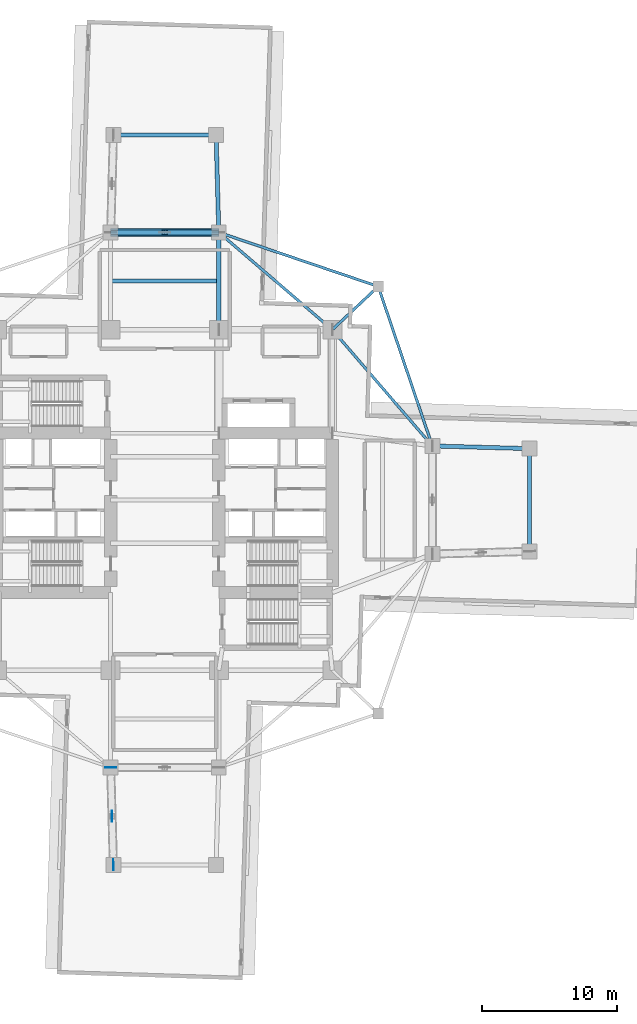
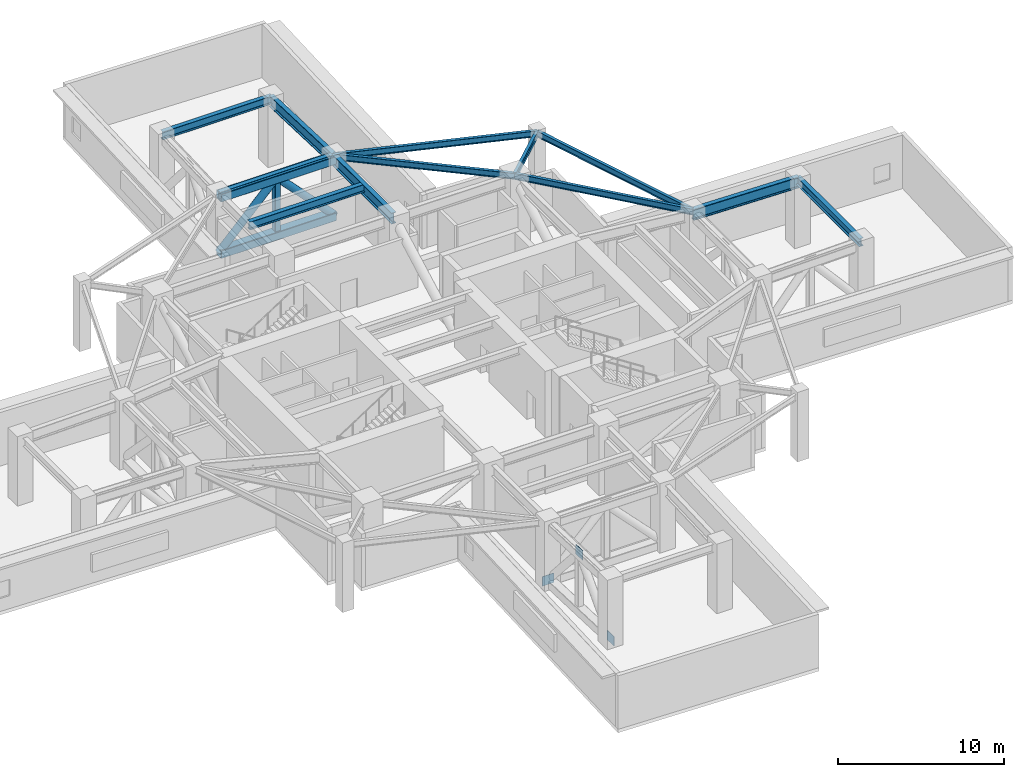
# One storey, part 4 of 17: 12 beams, 5 members, 3 plates.
"""IFC4 building model written with IfcOpenShell, lengths in metres."""

from ifc_helpers import new_model, si_unit, direction, frame, origin, origin_2d, place, context, subcontext, project, spatial, rectangle, hollow_rectangle, hollow_circle, i_section, extrude, material, layer, layer_set, material_profile, profile_set, type_object, element, save


model = new_model("IFC4")

# Units and contexts
model_context = context("Model", 3, precision=1e-05, world=origin(), true_north=direction((0.0, 1.0)))
body_context = subcontext(model_context, "Body", "Model", "MODEL_VIEW")
ifc_project = project(units=[si_unit("LENGTHUNIT", "METRE"), si_unit("AREAUNIT", "SQUARE_METRE"), si_unit("VOLUMEUNIT", "CUBIC_METRE"), si_unit("PLANEANGLEUNIT", "RADIAN"), si_unit("MASSUNIT", "GRAM", prefix="KILO")], contexts=[model_context])

# Site, building, storey
site_placement = place(None, origin())
site = spatial("IfcSite", under=ifc_project, at=site_placement, CompositionType="ELEMENT")
building_placement = place(site_placement, origin())
building = spatial("IfcBuilding", under=site, at=building_placement, Name="Qingluan Cross Belvedere", CompositionType="ELEMENT")
storey_placement = place(building_placement, frame((0.0, 0.0, 95.10009765625)))
storey = spatial("IfcBuildingStorey", under=building, at=storey_placement, Name="L24", CompositionType="ELEMENT", Elevation=95.10009765625)

# Members
ifc_material_1 = material(Name="Steel Q420GJB", Category="steel")
ifc_material_profile_1 = material_profile(ifc_material_1, hollow_circle(Radius=0.25390625, WallThickness=0.02197265625, at=origin_2d()), Name="CHS508x22")
ifc_profile_set_1 = profile_set([ifc_material_profile_1], Name="Steel Q420GJB")
member_type_1 = type_object("IfcMemberType", Name="SteelMember_BRACE_CHS508x22", PredefinedType="BRACE", material=ifc_profile_set_1)
for number, where, z_axis, x_axis, name in (
    (1, (-4.0, 19.800048828125, 0.349853515625), (0.6939623188, 0.0, 0.720011319415), (0.0, 1.0, 0.0), "Belt truss diagonal A L24-N"),
    (2, (4.0, 19.800048828125, 0.349853515625), (-0.6939623188, 0.0, 0.720011319415), (0.0, -1.0, 0.0), "Belt truss diagonal B L24-N"),
):
    element("IfcMember", number, at=place(storey_placement, frame(where, z_axis=z_axis, x_axis=x_axis)), inside=storey, type_object=member_type_1, Name=name, PredefinedType="BRACE", context=body_context, shape_type="SweptSolid", body=[
        extrude(hollow_circle(Radius=0.25390625, WallThickness=0.02197265625, at=origin_2d()), origin(), (0.0, 0.0, 1.0), 5.763916015625),
    ])
ifc_material_2 = material(Name="Steel Q420GJB", Category="steel")
ifc_material_profile_2 = material_profile(ifc_material_2, hollow_rectangle(XDim=0.60009765625, YDim=0.60009765625, WallThickness=0.028076171875, InnerFilletRadius=0.028076171875, OuterFilletRadius=0.055908203125, at=origin_2d()), Name="RHS600x600x28")
ifc_profile_set_2 = profile_set([ifc_material_profile_2], Name="Steel Q420GJB")
member_type_2 = type_object("IfcMemberType", Name="SteelMember_CHORD_RHS600x600x28", PredefinedType="CHORD", material=ifc_profile_set_2)
for number, where, z_axis, x_axis, name in (
    (3, (-4.0, 19.800048828125, 0.349853515625), (1.0, 0.0, 0.0), (0.0, 1.0, 0.0), "Belt truss bottom chord L24-N"),
    (4, (-4.0, 19.800048828125, 4.5), (1.0, 0.0, 0.0), (0.0, 1.0, 0.0), "Belt truss top chord L24-N"),
):
    element("IfcMember", number, at=place(storey_placement, frame(where, z_axis=z_axis, x_axis=x_axis)), inside=storey, type_object=member_type_2, Name=name, PredefinedType="CHORD", context=body_context, shape_type="SweptSolid", body=[
        extrude(hollow_rectangle(XDim=0.60009765625, YDim=0.60009765625, WallThickness=0.028076171875, InnerFilletRadius=0.028076171875, OuterFilletRadius=0.055908203125, at=origin_2d()), origin(), (0.0, 0.0, 1.0), 8.0),
    ])
ifc_material_3 = material(Name="Steel Q420GJB", Category="steel")
ifc_material_profile_3 = material_profile(ifc_material_3, hollow_rectangle(XDim=0.39990234375, YDim=0.39990234375, WallThickness=0.02001953125, InnerFilletRadius=0.02001953125, OuterFilletRadius=0.0400390625, at=origin_2d()), Name="RHS400x400x20")
ifc_profile_set_3 = profile_set([ifc_material_profile_3], Name="Steel Q420GJB")
member_type_3 = type_object("IfcMemberType", Name="SteelMember_POST_RHS400x400x20", PredefinedType="POST", material=ifc_profile_set_3)
member_placement = place(storey_placement, frame((0.0, 19.800048828125, 0.349853515625), z_axis=(0.0, 0.0, 1.0), x_axis=(1.0, 0.0, 0.0)))
element("IfcMember", 5, at=member_placement, inside=storey, type_object=member_type_3, Name="Belt truss mid-post L24-N", PredefinedType="POST", context=body_context, shape_type="SweptSolid", body=[
    extrude(hollow_rectangle(XDim=0.39990234375, YDim=0.39990234375, WallThickness=0.02001953125, InnerFilletRadius=0.02001953125, OuterFilletRadius=0.0400390625, at=origin_2d()), origin(), (0.0, 0.0, 1.0), 4.150146484375),
])

# Beams
ifc_material_4 = material(Name="Steel Q420GJB", Category="steel")
ifc_material_profile_4 = material_profile(ifc_material_4, i_section(OverallWidth=0.300048828125, OverallDepth=0.587890625, WebThickness=0.011962890625, FlangeThickness=0.02001953125, FilletRadius=0.02392578125, at=origin_2d()), Name="HM588x300x12x20")
ifc_profile_set_4 = profile_set([ifc_material_profile_4], Name="Steel Q420GJB")
beam_type_1 = type_object("IfcBeamType", Name="Steel_Beam_HM588x300x12x20", PredefinedType="BEAM", material=ifc_profile_set_4)
beam_1_placement = place(storey_placement, frame((27.0, -3.800048828125, 4.555908203125), z_axis=(0.0, 1.0, 0.0), x_axis=(-1.0, 0.0, 0.0)))
element("IfcBeam", 6, at=beam_1_placement, inside=storey, type_object=beam_type_1, Name="Arm E tip transverse beam L24", PredefinedType="BEAM", context=body_context, shape_type="SweptSolid", body=[
    extrude(i_section(OverallWidth=0.300048828125, OverallDepth=0.587890625, WebThickness=0.011962890625, FlangeThickness=0.02001953125, FilletRadius=0.02392578125, at=origin_2d()), origin(), (0.0, 0.0, 1.0), 7.60009765625),
])
for number, where, z_axis, x_axis, name in (
    (7, (-4.0, 19.800048828125, 4.555908203125), (1.0, 0.0, 0.0), (0.0, 1.0, 0.0), "Arm N tie L24"),
    (8, (-4.0, 16.199951171875, 4.555908203125), (1.0, 0.0, 0.0), (0.0, 1.0, 0.0), "Arm N beam L24"),
):
    element("IfcBeam", number, at=place(storey_placement, frame(where, z_axis=z_axis, x_axis=x_axis)), inside=storey, type_object=beam_type_1, Name=name, PredefinedType="BEAM", context=body_context, shape_type="SweptSolid", body=[
        extrude(i_section(OverallWidth=0.300048828125, OverallDepth=0.587890625, WebThickness=0.011962890625, FlangeThickness=0.02001953125, FilletRadius=0.02392578125, at=origin_2d()), origin(), (0.0, 0.0, 1.0), 8.0),
    ])
beam_2_placement = place(storey_placement, frame((-3.800048828125, 27.0, 4.555908203125), z_axis=(1.0, 0.0, 0.0), x_axis=(0.0, 1.0, 0.0)))
element("IfcBeam", 9, at=beam_2_placement, inside=storey, type_object=beam_type_1, Name="Arm N tip transverse beam L24", PredefinedType="BEAM", context=body_context, shape_type="SweptSolid", body=[
    extrude(i_section(OverallWidth=0.300048828125, OverallDepth=0.587890625, WebThickness=0.011962890625, FlangeThickness=0.02001953125, FilletRadius=0.02392578125, at=origin_2d()), origin(), (0.0, 0.0, 1.0), 7.60009765625),
])
ifc_material_5 = material(Name="Steel Q420GJB", Category="steel")
ifc_material_profile_5 = material_profile(ifc_material_5, i_section(OverallWidth=0.199951171875, OverallDepth=0.449951171875, WebThickness=0.009033203125, FlangeThickness=0.013916015625, FilletRadius=0.01611328125, at=origin_2d()), Name="HN450x200x9x14")
ifc_profile_set_5 = profile_set([ifc_material_profile_5], Name="Steel Q420GJB")
beam_type_2 = type_object("IfcBeamType", Name="Steel_Beam_HN450x200x9x14", PredefinedType="JOIST", material=ifc_profile_set_5)
beam_3_placement = place(storey_placement, frame((12.39990234375, 12.60009765625, 4.625), z_axis=(0.728219948308, 0.685343495546, 0.0), x_axis=(-0.685343495546, 0.728219948308, 0.0)))
element("IfcBeam", 10, at=beam_3_placement, inside=storey, type_object=beam_type_2, Name="Corner beam 1 L24-RNE", PredefinedType="JOIST", context=body_context, shape_type="SweptSolid", body=[
    extrude(i_section(OverallWidth=0.199951171875, OverallDepth=0.449951171875, WebThickness=0.009033203125, FlangeThickness=0.013916015625, FilletRadius=0.01611328125, at=origin_2d()), origin(), (0.0, 0.0, 1.0), 4.669189453125),
])
for number, where, z_axis, x_axis, name in (
    (11, (15.800048828125, 15.800048828125, 4.625), (-0.947066283324, 0.321038089628, 0.0), (-0.321038089628, -0.947066283324, 0.0), "Corner beam 2 L24-RNE"),
    (12, (15.800048828125, 15.800048828125, 4.625), (0.321038089628, -0.947066283324, 0.0), (0.947066283324, 0.321038089628, 0.0), "Corner beam 3 L24-RNE"),
):
    element("IfcBeam", number, at=place(storey_placement, frame(where, z_axis=z_axis, x_axis=x_axis)), inside=storey, type_object=beam_type_2, Name=name, PredefinedType="JOIST", context=body_context, shape_type="SweptSolid", body=[
        extrude(i_section(OverallWidth=0.199951171875, OverallDepth=0.449951171875, WebThickness=0.009033203125, FlangeThickness=0.013916015625, FilletRadius=0.01611328125, at=origin_2d()), origin(), (0.0, 0.0, 1.0), 12.45947265625),
    ])
beam_4_placement = place(storey_placement, frame((12.39990234375, 12.60009765625, 4.625), z_axis=(0.652245077546, -0.75800815221, 0.0), x_axis=(0.75800815221, 0.652245077546, 0.0)))
element("IfcBeam", 13, at=beam_4_placement, inside=storey, type_object=beam_type_2, Name="Corner beam 4 L24-RNE", PredefinedType="JOIST", context=body_context, shape_type="SweptSolid", body=[
    extrude(i_section(OverallWidth=0.199951171875, OverallDepth=0.449951171875, WebThickness=0.009033203125, FlangeThickness=0.013916015625, FilletRadius=0.01611328125, at=origin_2d()), origin(), (0.0, 0.0, 1.0), 11.345703125),
])
beam_5_placement = place(storey_placement, frame((12.39990234375, 12.60009765625, 4.625), z_axis=(-0.759255044656, 0.650793190779, 0.0), x_axis=(-0.650793190779, -0.759255044656, 0.0)))
element("IfcBeam", 14, at=beam_5_placement, inside=storey, type_object=beam_type_2, Name="Corner beam 5 L24-RNE", PredefinedType="JOIST", context=body_context, shape_type="SweptSolid", body=[
    extrude(i_section(OverallWidth=0.199951171875, OverallDepth=0.449951171875, WebThickness=0.009033203125, FlangeThickness=0.013916015625, FilletRadius=0.01611328125, at=origin_2d()), origin(), (0.0, 0.0, 1.0), 11.063232421875),
])
ifc_material_6 = material(Name="Steel Q420GJB", Category="steel")
ifc_material_profile_6 = material_profile(ifc_material_6, i_section(OverallWidth=0.305908203125, OverallDepth=0.81396484375, WebThickness=0.02099609375, FlangeThickness=0.0400390625, FilletRadius=0.030029296875, at=origin_2d()), Name="HEM800")
ifc_profile_set_6 = profile_set([ifc_material_profile_6], Name="Steel Q420GJB")
beam_type_3 = type_object("IfcBeamType", Name="Steel_Girder_HEM800", PredefinedType="USERDEFINED", material=ifc_profile_set_6)
beam_6_placement = place(storey_placement, frame((19.800048828125, 4.0, 4.44287109375), z_axis=(0.999614603568, -0.027760481514, 0.0), x_axis=(0.027760481514, 0.999614603568, 0.0)))
element("IfcBeam", 15, at=beam_6_placement, inside=storey, type_object=beam_type_3, Name="Arm E outer radial girder B L24", ObjectType="GIRDER", PredefinedType="USERDEFINED", context=body_context, shape_type="SweptSolid", body=[
    extrude(i_section(OverallWidth=0.305908203125, OverallDepth=0.81396484375, WebThickness=0.02099609375, FlangeThickness=0.0400390625, FilletRadius=0.030029296875, at=origin_2d()), origin(), (0.0, 0.0, 1.0), 7.20263671875),
])
beam_7_placement = place(storey_placement, frame((4.0, 12.60009765625, 4.44287109375), z_axis=(0.0, 1.0, 0.0), x_axis=(-1.0, 0.0, 0.0)))
element("IfcBeam", 16, at=beam_7_placement, inside=storey, type_object=beam_type_3, Name="Arm N radial girder B L24", ObjectType="GIRDER", PredefinedType="USERDEFINED", context=body_context, shape_type="SweptSolid", body=[
    extrude(i_section(OverallWidth=0.305908203125, OverallDepth=0.81396484375, WebThickness=0.02099609375, FlangeThickness=0.0400390625, FilletRadius=0.030029296875, at=origin_2d()), origin(), (0.0, 0.0, 1.0), 7.199951171875),
])
beam_8_placement = place(storey_placement, frame((4.0, 19.800048828125, 4.44287109375), z_axis=(-0.027760481514, 0.999614603568, 0.0), x_axis=(-0.999614603568, -0.027760481514, 0.0)))
element("IfcBeam", 17, at=beam_8_placement, inside=storey, type_object=beam_type_3, Name="Arm N outer radial girder B L24", ObjectType="GIRDER", PredefinedType="USERDEFINED", context=body_context, shape_type="SweptSolid", body=[
    extrude(i_section(OverallWidth=0.305908203125, OverallDepth=0.81396484375, WebThickness=0.02099609375, FlangeThickness=0.0400390625, FilletRadius=0.030029296875, at=origin_2d()), origin(), (0.0, 0.0, 1.0), 7.20263671875),
])

# Plates
ifc_material_7 = material(Name="Steel Q420GJB", Category="steel")
ifc_layer = layer(ifc_material_7, 0.031982421875, Name="GussetPlate_32")
ifc_layer_set = layer_set([ifc_layer], Name="Steel Q420GJB")
plate_type = type_object("IfcPlateType", Name="GussetPlate_32", PredefinedType="SHEET", material=ifc_layer_set)
for number, where, z_axis, x_axis, name in (
    (18, (-4.0, -19.800048828125, 0.0), (0.0, 0.0, 1.0), (1.0, 0.0, 0.0), "Belt truss gusset node plate L24-S-A"),
    (19, (-3.89990234375, -23.39990234375, 4.14990234375), (0.0, 0.0, 1.0), (0.027767067237, -0.999614420653, 0.0), "Belt truss gusset node plate L24-SS-M"),
    (20, (-3.800048828125, -27.0, 0.0), (0.0, 0.0, 1.0), (0.027767067237, -0.999614420653, 0.0), "Belt truss gusset node plate L24-SS-B"),
):
    element("IfcPlate", number, at=place(storey_placement, frame(where, z_axis=z_axis, x_axis=x_axis)), inside=storey, type_object=plate_type, Name=name, PredefinedType="SHEET", context=body_context, shape_type="SweptSolid", body=[
        extrude(rectangle(XDim=0.800048828125, YDim=0.031982421875, at=origin_2d()), origin(), (0.0, 0.0, 1.0), 0.699951171875),
    ])

save(model, "model.ifc")
